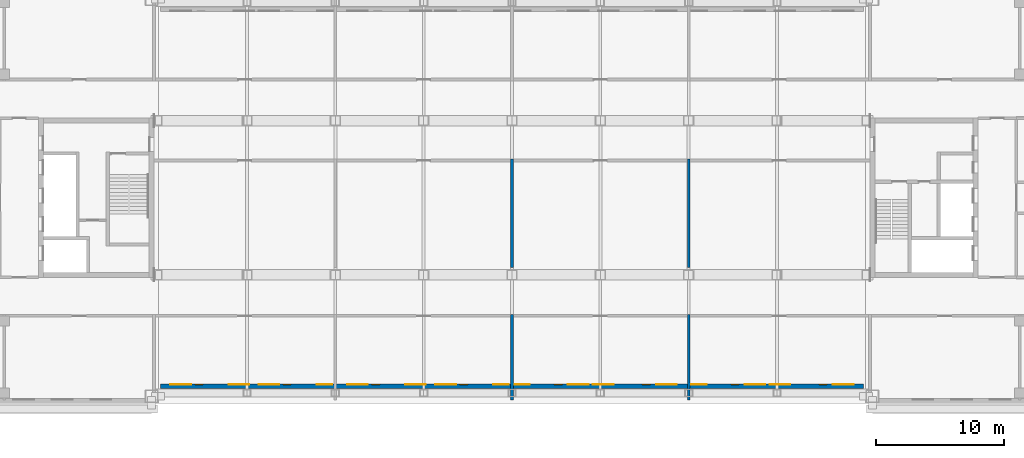
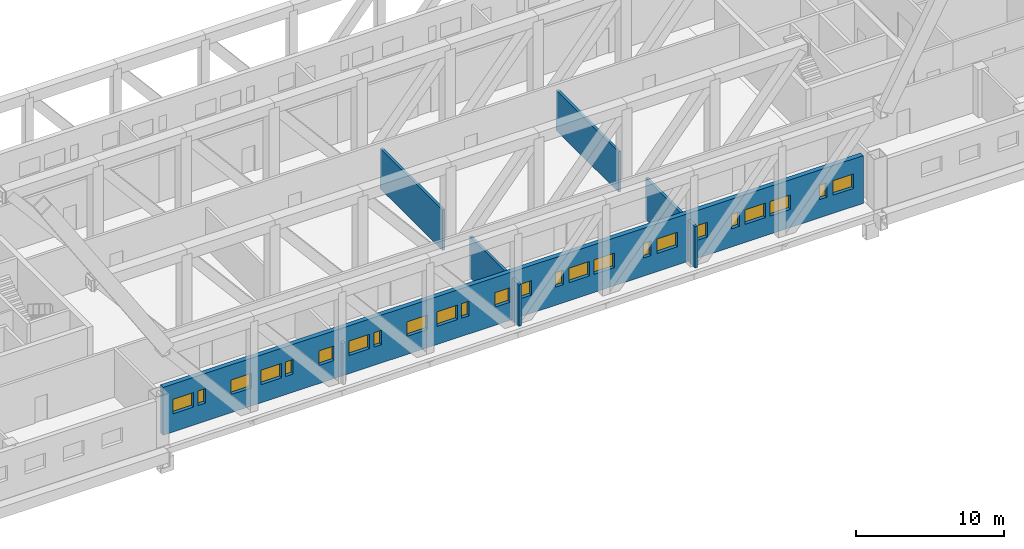
# One storey, part 8 of 17: 24 windows, 5 walls, 24 openings.
"""IFC4 building model written with IfcOpenShell, lengths in metres."""

from ifc_helpers import new_model, si_unit, direction, frame, frame_2d, origin, place, context, subcontext, project, spatial, rectangle, extrude, material, layer, layer_set, type_object, element, fill, save


model = new_model("IFC4")

# Units and contexts
model_context = context("Model", 3, precision=1e-05, world=origin(), true_north=direction((0.0, 1.0)))
body_context = subcontext(model_context, "Body", "Model", "MODEL_VIEW")
ifc_project = project(units=[si_unit("LENGTHUNIT", "METRE"), si_unit("AREAUNIT", "SQUARE_METRE"), si_unit("VOLUMEUNIT", "CUBIC_METRE"), si_unit("PLANEANGLEUNIT", "RADIAN"), si_unit("MASSUNIT", "GRAM", prefix="KILO")], contexts=[model_context])

# Site, building, storey
site_placement = place(None, origin())
site = spatial("IfcSite", under=ifc_project, at=site_placement, CompositionType="ELEMENT")
building_placement = place(site_placement, origin())
building = spatial("IfcBuilding", under=site, at=building_placement, Name="Tuart Gate Housing", CompositionType="ELEMENT")
storey_placement = place(building_placement, frame((0.0, 0.0, 194.39990234375)))
storey = spatial("IfcBuildingStorey", under=building, at=storey_placement, Name="L55", CompositionType="ELEMENT", Elevation=194.39990234375)

# Wall, openings, windows
ifc_material_1 = material(Name="Brick", Category="masonry")
ifc_layer_1 = layer(ifc_material_1, 0.360107421875)
ifc_layer_set_1 = layer_set([ifc_layer_1], Name="Brick pier and spandrel wall 360")
wall_type_1 = type_object("IfcWallType", Name="Brick pier and spandrel wall 360", PredefinedType="STANDARD", material=ifc_layer_set_1)
wall_1_placement = place(storey_placement, frame((76.14990234375, 55.340087890625, 0.0), z_axis=(0.0, 0.0, 1.0), x_axis=(1.0, 0.0, 0.0)))
wall_1 = element("IfcWall", 1, at=wall_1_placement, inside=storey, type_object=wall_type_1, Name="External wall BLK-S L55", PredefinedType="STANDARD", context=body_context, shape_type="SweptSolid", body=[
    extrude(rectangle(XDim=54.7001953125, YDim=0.360107421875, at=frame_2d((27.35009765625, 0.0))), origin(), (0.0, 0.0, 1.0), 3.9501953125),
])
opening_1_placement = place(wall_1_placement, frame((0.768798828125, 0.0, 1.5)))
opening_1 = element("IfcOpeningElement", 2, at=opening_1_placement, cuts=wall_1, Name="Opening W3", PredefinedType="OPENING", context=body_context, shape_type="SweptSolid", body=[
    extrude(rectangle(XDim=1.60009765625, YDim=1.199951171875, at=frame_2d((0.800048828125, 0.60009765625))), frame((0.0, 0.18994140625, 0.0), z_axis=(0.0, -1.0, 0.0), x_axis=(1.0, 0.0, 0.0)), (0.0, 0.0, 1.0), 0.380126953125),
])
opening_2_placement = place(wall_1_placement, frame((2.699951171875, 0.0, 1.5)))
opening_2 = element("IfcOpeningElement", 3, at=opening_2_placement, cuts=wall_1, Name="Opening W3C", PredefinedType="OPENING", context=body_context, shape_type="SweptSolid", body=[
    extrude(rectangle(XDim=0.60009765625, YDim=1.199951171875, at=frame_2d((0.300048828125, 0.60009765625))), frame((0.0, 0.18994140625, 0.0), z_axis=(0.0, -1.0, 0.0), x_axis=(1.0, 0.0, 0.0)), (0.0, 0.0, 1.0), 0.380126953125),
])
opening_3_placement = place(wall_1_placement, frame((7.643798828125, 0.0, 1.5)))
opening_3 = element("IfcOpeningElement", 4, at=opening_3_placement, cuts=wall_1, Name="Opening W3", PredefinedType="OPENING", context=body_context, shape_type="SweptSolid", body=[
    extrude(rectangle(XDim=1.60009765625, YDim=1.199951171875, at=frame_2d((0.800048828125, 0.60009765625))), frame((0.0, 0.18994140625, 0.0), z_axis=(0.0, -1.0, 0.0), x_axis=(1.0, 0.0, 0.0)), (0.0, 0.0, 1.0), 0.380126953125),
])
opening_4_placement = place(wall_1_placement, frame((5.300048828125, 0.0, 1.5)))
opening_4 = element("IfcOpeningElement", 5, at=opening_4_placement, cuts=wall_1, Name="Opening W3", PredefinedType="OPENING", context=body_context, shape_type="SweptSolid", body=[
    extrude(rectangle(XDim=1.60009765625, YDim=1.199951171875, at=frame_2d((0.800048828125, 0.60009765625))), frame((0.0, 0.18994140625, 0.0), z_axis=(0.0, -1.0, 0.0), x_axis=(1.0, 0.0, 0.0)), (0.0, 0.0, 1.0), 0.380126953125),
])
opening_5_placement = place(wall_1_placement, frame((14.518798828125, 0.0, 1.5)))
opening_5 = element("IfcOpeningElement", 6, at=opening_5_placement, cuts=wall_1, Name="Opening W3", PredefinedType="OPENING", context=body_context, shape_type="SweptSolid", body=[
    extrude(rectangle(XDim=1.60009765625, YDim=1.199951171875, at=frame_2d((0.800048828125, 0.60009765625))), frame((0.0, 0.18994140625, 0.0), z_axis=(0.0, -1.0, 0.0), x_axis=(1.0, 0.0, 0.0)), (0.0, 0.0, 1.0), 0.380126953125),
])
opening_6_placement = place(wall_1_placement, frame((16.449951171875, 0.0, 1.5)))
opening_6 = element("IfcOpeningElement", 7, at=opening_6_placement, cuts=wall_1, Name="Opening W3C", PredefinedType="OPENING", context=body_context, shape_type="SweptSolid", body=[
    extrude(rectangle(XDim=0.60009765625, YDim=1.199951171875, at=frame_2d((0.300048828125, 0.60009765625))), frame((0.0, 0.18994140625, 0.0), z_axis=(0.0, -1.0, 0.0), x_axis=(1.0, 0.0, 0.0)), (0.0, 0.0, 1.0), 0.380126953125),
])
opening_7_placement = place(wall_1_placement, frame((21.393798828125, 0.0, 1.5)))
opening_7 = element("IfcOpeningElement", 8, at=opening_7_placement, cuts=wall_1, Name="Opening W3", PredefinedType="OPENING", context=body_context, shape_type="SweptSolid", body=[
    extrude(rectangle(XDim=1.60009765625, YDim=1.199951171875, at=frame_2d((0.800048828125, 0.60009765625))), frame((0.0, 0.18994140625, 0.0), z_axis=(0.0, -1.0, 0.0), x_axis=(1.0, 0.0, 0.0)), (0.0, 0.0, 1.0), 0.380126953125),
])
opening_8_placement = place(wall_1_placement, frame((19.050048828125, 0.0, 1.5)))
opening_8 = element("IfcOpeningElement", 9, at=opening_8_placement, cuts=wall_1, Name="Opening W3", PredefinedType="OPENING", context=body_context, shape_type="SweptSolid", body=[
    extrude(rectangle(XDim=1.60009765625, YDim=1.199951171875, at=frame_2d((0.800048828125, 0.60009765625))), frame((0.0, 0.18994140625, 0.0), z_axis=(0.0, -1.0, 0.0), x_axis=(1.0, 0.0, 0.0)), (0.0, 0.0, 1.0), 0.380126953125),
])
opening_9_placement = place(wall_1_placement, frame((27.550048828125, 0.0, 1.5)))
opening_9 = element("IfcOpeningElement", 10, at=opening_9_placement, cuts=wall_1, Name="Opening W3A", PredefinedType="OPENING", context=body_context, shape_type="SweptSolid", body=[
    extrude(rectangle(XDim=1.199951171875, YDim=1.199951171875, at=frame_2d((0.60009765625, 0.60009765625))), frame((0.0, 0.18994140625, 0.0), z_axis=(0.0, -1.0, 0.0), x_axis=(1.0, 0.0, 0.0)), (0.0, 0.0, 1.0), 0.380126953125),
])
opening_10_placement = place(wall_1_placement, frame((31.706298828125, 0.0, 1.5)))
opening_10 = element("IfcOpeningElement", 11, at=opening_10_placement, cuts=wall_1, Name="Opening W3", PredefinedType="OPENING", context=body_context, shape_type="SweptSolid", body=[
    extrude(rectangle(XDim=1.60009765625, YDim=1.199951171875, at=frame_2d((0.800048828125, 0.60009765625))), frame((0.0, 0.18994140625, 0.0), z_axis=(0.0, -1.0, 0.0), x_axis=(1.0, 0.0, 0.0)), (0.0, 0.0, 1.0), 0.380126953125),
])
opening_11_placement = place(wall_1_placement, frame((30.64990234375, 0.0, 1.5)))
opening_11 = element("IfcOpeningElement", 12, at=opening_11_placement, cuts=wall_1, Name="Opening W3C", PredefinedType="OPENING", context=body_context, shape_type="SweptSolid", body=[
    extrude(rectangle(XDim=0.60009765625, YDim=1.199951171875, at=frame_2d((0.300048828125, 0.60009765625))), frame((0.0, 0.18994140625, 0.0), z_axis=(0.0, -1.0, 0.0), x_axis=(1.0, 0.0, 0.0)), (0.0, 0.0, 1.0), 0.380126953125),
])
opening_12_placement = place(wall_1_placement, frame((38.581298828125, 0.0, 1.5)))
opening_12 = element("IfcOpeningElement", 13, at=opening_12_placement, cuts=wall_1, Name="Opening W3", PredefinedType="OPENING", context=body_context, shape_type="SweptSolid", body=[
    extrude(rectangle(XDim=1.60009765625, YDim=1.199951171875, at=frame_2d((0.800048828125, 0.60009765625))), frame((0.0, 0.18994140625, 0.0), z_axis=(0.0, -1.0, 0.0), x_axis=(1.0, 0.0, 0.0)), (0.0, 0.0, 1.0), 0.380126953125),
])
opening_13_placement = place(wall_1_placement, frame((41.300048828125, 0.0, 1.5)))
opening_13 = element("IfcOpeningElement", 14, at=opening_13_placement, cuts=wall_1, Name="Opening W3A", PredefinedType="OPENING", context=body_context, shape_type="SweptSolid", body=[
    extrude(rectangle(XDim=1.199951171875, YDim=1.199951171875, at=frame_2d((0.60009765625, 0.60009765625))), frame((0.0, 0.18994140625, 0.0), z_axis=(0.0, -1.0, 0.0), x_axis=(1.0, 0.0, 0.0)), (0.0, 0.0, 1.0), 0.380126953125),
])
opening_14_placement = place(wall_1_placement, frame((45.456298828125, 0.0, 1.5)))
opening_14 = element("IfcOpeningElement", 15, at=opening_14_placement, cuts=wall_1, Name="Opening W3", PredefinedType="OPENING", context=body_context, shape_type="SweptSolid", body=[
    extrude(rectangle(XDim=1.60009765625, YDim=1.199951171875, at=frame_2d((0.800048828125, 0.60009765625))), frame((0.0, 0.18994140625, 0.0), z_axis=(0.0, -1.0, 0.0), x_axis=(1.0, 0.0, 0.0)), (0.0, 0.0, 1.0), 0.380126953125),
])
opening_15_placement = place(wall_1_placement, frame((44.39990234375, 0.0, 1.5)))
opening_15 = element("IfcOpeningElement", 16, at=opening_15_placement, cuts=wall_1, Name="Opening W3C", PredefinedType="OPENING", context=body_context, shape_type="SweptSolid", body=[
    extrude(rectangle(XDim=0.60009765625, YDim=1.199951171875, at=frame_2d((0.300048828125, 0.60009765625))), frame((0.0, 0.18994140625, 0.0), z_axis=(0.0, -1.0, 0.0), x_axis=(1.0, 0.0, 0.0)), (0.0, 0.0, 1.0), 0.380126953125),
])
opening_16_placement = place(wall_1_placement, frame((52.331298828125, 0.0, 1.5)))
opening_16 = element("IfcOpeningElement", 17, at=opening_16_placement, cuts=wall_1, Name="Opening W3", PredefinedType="OPENING", context=body_context, shape_type="SweptSolid", body=[
    extrude(rectangle(XDim=1.60009765625, YDim=1.199951171875, at=frame_2d((0.800048828125, 0.60009765625))), frame((0.0, 0.18994140625, 0.0), z_axis=(0.0, -1.0, 0.0), x_axis=(1.0, 0.0, 0.0)), (0.0, 0.0, 1.0), 0.380126953125),
])
opening_17_placement = place(wall_1_placement, frame((9.550048828125, 0.0, 1.5)))
opening_17 = element("IfcOpeningElement", 18, at=opening_17_placement, cuts=wall_1, Name="Opening W3C", PredefinedType="OPENING", context=body_context, shape_type="SweptSolid", body=[
    extrude(rectangle(XDim=0.60009765625, YDim=1.199951171875, at=frame_2d((0.300048828125, 0.60009765625))), frame((0.0, 0.18994140625, 0.0), z_axis=(0.0, -1.0, 0.0), x_axis=(1.0, 0.0, 0.0)), (0.0, 0.0, 1.0), 0.380126953125),
])
opening_18_placement = place(wall_1_placement, frame((12.14990234375, 0.0, 1.5)))
opening_18 = element("IfcOpeningElement", 19, at=opening_18_placement, cuts=wall_1, Name="Opening W3A", PredefinedType="OPENING", context=body_context, shape_type="SweptSolid", body=[
    extrude(rectangle(XDim=1.199951171875, YDim=1.199951171875, at=frame_2d((0.60009765625, 0.60009765625))), frame((0.0, 0.18994140625, 0.0), z_axis=(0.0, -1.0, 0.0), x_axis=(1.0, 0.0, 0.0)), (0.0, 0.0, 1.0), 0.380126953125),
])
opening_19_placement = place(wall_1_placement, frame((23.300048828125, 0.0, 1.5)))
opening_19 = element("IfcOpeningElement", 20, at=opening_19_placement, cuts=wall_1, Name="Opening W3C", PredefinedType="OPENING", context=body_context, shape_type="SweptSolid", body=[
    extrude(rectangle(XDim=0.60009765625, YDim=1.199951171875, at=frame_2d((0.300048828125, 0.60009765625))), frame((0.0, 0.18994140625, 0.0), z_axis=(0.0, -1.0, 0.0), x_axis=(1.0, 0.0, 0.0)), (0.0, 0.0, 1.0), 0.380126953125),
])
opening_20_placement = place(wall_1_placement, frame((25.89990234375, 0.0, 1.5)))
opening_20 = element("IfcOpeningElement", 21, at=opening_20_placement, cuts=wall_1, Name="Opening W3A", PredefinedType="OPENING", context=body_context, shape_type="SweptSolid", body=[
    extrude(rectangle(XDim=1.199951171875, YDim=1.199951171875, at=frame_2d((0.60009765625, 0.60009765625))), frame((0.0, 0.18994140625, 0.0), z_axis=(0.0, -1.0, 0.0), x_axis=(1.0, 0.0, 0.0)), (0.0, 0.0, 1.0), 0.380126953125),
])
opening_21_placement = place(wall_1_placement, frame((33.64990234375, 0.0, 1.5)))
opening_21 = element("IfcOpeningElement", 22, at=opening_21_placement, cuts=wall_1, Name="Opening W3", PredefinedType="OPENING", context=body_context, shape_type="SweptSolid", body=[
    extrude(rectangle(XDim=1.60009765625, YDim=1.199951171875, at=frame_2d((0.800048828125, 0.60009765625))), frame((0.0, 0.18994140625, 0.0), z_axis=(0.0, -1.0, 0.0), x_axis=(1.0, 0.0, 0.0)), (0.0, 0.0, 1.0), 0.380126953125),
])
opening_22_placement = place(wall_1_placement, frame((37.5, 0.0, 1.5)))
opening_22 = element("IfcOpeningElement", 23, at=opening_22_placement, cuts=wall_1, Name="Opening W3C", PredefinedType="OPENING", context=body_context, shape_type="SweptSolid", body=[
    extrude(rectangle(XDim=0.60009765625, YDim=1.199951171875, at=frame_2d((0.300048828125, 0.60009765625))), frame((0.0, 0.18994140625, 0.0), z_axis=(0.0, -1.0, 0.0), x_axis=(1.0, 0.0, 0.0)), (0.0, 0.0, 1.0), 0.380126953125),
])
opening_23_placement = place(wall_1_placement, frame((47.39990234375, 0.0, 1.5)))
opening_23 = element("IfcOpeningElement", 24, at=opening_23_placement, cuts=wall_1, Name="Opening W3", PredefinedType="OPENING", context=body_context, shape_type="SweptSolid", body=[
    extrude(rectangle(XDim=1.60009765625, YDim=1.199951171875, at=frame_2d((0.800048828125, 0.60009765625))), frame((0.0, 0.18994140625, 0.0), z_axis=(0.0, -1.0, 0.0), x_axis=(1.0, 0.0, 0.0)), (0.0, 0.0, 1.0), 0.380126953125),
])
opening_24_placement = place(wall_1_placement, frame((51.25, 0.0, 1.5)))
opening_24 = element("IfcOpeningElement", 25, at=opening_24_placement, cuts=wall_1, Name="Opening W3C", PredefinedType="OPENING", context=body_context, shape_type="SweptSolid", body=[
    extrude(rectangle(XDim=0.60009765625, YDim=1.199951171875, at=frame_2d((0.300048828125, 0.60009765625))), frame((0.0, 0.18994140625, 0.0), z_axis=(0.0, -1.0, 0.0), x_axis=(1.0, 0.0, 0.0)), (0.0, 0.0, 1.0), 0.380126953125),
])
ifc_material_2 = material(Name="Aluminium louvre blades", Category="aluminium")
window_type_1 = type_object("IfcWindowType", Name="Louvre window 1200 x 1200", PartitioningType="DOUBLE_PANEL_HORIZONTAL", PredefinedType="WINDOW", material=ifc_material_2)
window_1_placement = place(opening_9_placement, origin())
window_1 = element("IfcWindow", 26, at=window_1_placement, inside=storey, type_object=window_type_1, Name="Louvre W3A", OverallHeight=1.199951171875, OverallWidth=1.199951171875, PartitioningType="DOUBLE_PANEL_HORIZONTAL", PredefinedType="WINDOW", context=body_context, shape_type="SweptSolid", body=[
    extrude(rectangle(XDim=1.199951171875, YDim=1.199951171875, at=frame_2d((0.60009765625, 0.60009765625))), frame((0.0, 0.150146484375, 0.0), z_axis=(0.0, -1.0, 0.0), x_axis=(1.0, 0.0, 0.0)), (0.0, 0.0, 1.0), 0.06005859375),
])
fill(opening_9, window_1)
window_2_placement = place(opening_13_placement, origin())
window_2 = element("IfcWindow", 27, at=window_2_placement, inside=storey, type_object=window_type_1, Name="Louvre W3A", OverallHeight=1.199951171875, OverallWidth=1.199951171875, PartitioningType="DOUBLE_PANEL_HORIZONTAL", PredefinedType="WINDOW", context=body_context, shape_type="SweptSolid", body=[
    extrude(rectangle(XDim=1.199951171875, YDim=1.199951171875, at=frame_2d((0.60009765625, 0.60009765625))), frame((0.0, 0.150146484375, 0.0), z_axis=(0.0, -1.0, 0.0), x_axis=(1.0, 0.0, 0.0)), (0.0, 0.0, 1.0), 0.06005859375),
])
fill(opening_13, window_2)
window_3_placement = place(opening_18_placement, origin())
window_3 = element("IfcWindow", 28, at=window_3_placement, inside=storey, type_object=window_type_1, Name="Louvre W3A", OverallHeight=1.199951171875, OverallWidth=1.199951171875, PartitioningType="DOUBLE_PANEL_HORIZONTAL", PredefinedType="WINDOW", context=body_context, shape_type="SweptSolid", body=[
    extrude(rectangle(XDim=1.199951171875, YDim=1.199951171875, at=frame_2d((0.60009765625, 0.60009765625))), frame((0.0, 0.150146484375, 0.0), z_axis=(0.0, -1.0, 0.0), x_axis=(1.0, 0.0, 0.0)), (0.0, 0.0, 1.0), 0.06005859375),
])
fill(opening_18, window_3)
window_4_placement = place(opening_20_placement, origin())
window_4 = element("IfcWindow", 29, at=window_4_placement, inside=storey, type_object=window_type_1, Name="Louvre W3A", OverallHeight=1.199951171875, OverallWidth=1.199951171875, PartitioningType="DOUBLE_PANEL_HORIZONTAL", PredefinedType="WINDOW", context=body_context, shape_type="SweptSolid", body=[
    extrude(rectangle(XDim=1.199951171875, YDim=1.199951171875, at=frame_2d((0.60009765625, 0.60009765625))), frame((0.0, 0.150146484375, 0.0), z_axis=(0.0, -1.0, 0.0), x_axis=(1.0, 0.0, 0.0)), (0.0, 0.0, 1.0), 0.06005859375),
])
fill(opening_20, window_4)
ifc_material_3 = material(Name="Aluminium louvre blades", Category="aluminium")
window_type_2 = type_object("IfcWindowType", Name="Louvre window 1600 x 1200", PartitioningType="DOUBLE_PANEL_HORIZONTAL", PredefinedType="WINDOW", material=ifc_material_3)
window_5_placement = place(opening_1_placement, origin())
window_5 = element("IfcWindow", 30, at=window_5_placement, inside=storey, type_object=window_type_2, Name="Louvre W3", OverallHeight=1.199951171875, OverallWidth=1.60009765625, PartitioningType="DOUBLE_PANEL_HORIZONTAL", PredefinedType="WINDOW", context=body_context, shape_type="SweptSolid", body=[
    extrude(rectangle(XDim=1.60009765625, YDim=1.199951171875, at=frame_2d((0.800048828125, 0.60009765625))), frame((0.0, 0.150146484375, 0.0), z_axis=(0.0, -1.0, 0.0), x_axis=(1.0, 0.0, 0.0)), (0.0, 0.0, 1.0), 0.06005859375),
])
fill(opening_1, window_5)
window_6_placement = place(opening_3_placement, origin())
window_6 = element("IfcWindow", 31, at=window_6_placement, inside=storey, type_object=window_type_2, Name="Louvre W3", OverallHeight=1.199951171875, OverallWidth=1.60009765625, PartitioningType="DOUBLE_PANEL_HORIZONTAL", PredefinedType="WINDOW", context=body_context, shape_type="SweptSolid", body=[
    extrude(rectangle(XDim=1.60009765625, YDim=1.199951171875, at=frame_2d((0.800048828125, 0.60009765625))), frame((0.0, 0.150146484375, 0.0), z_axis=(0.0, -1.0, 0.0), x_axis=(1.0, 0.0, 0.0)), (0.0, 0.0, 1.0), 0.06005859375),
])
fill(opening_3, window_6)
window_7_placement = place(opening_4_placement, origin())
window_7 = element("IfcWindow", 32, at=window_7_placement, inside=storey, type_object=window_type_2, Name="Louvre W3", OverallHeight=1.199951171875, OverallWidth=1.60009765625, PartitioningType="DOUBLE_PANEL_HORIZONTAL", PredefinedType="WINDOW", context=body_context, shape_type="SweptSolid", body=[
    extrude(rectangle(XDim=1.60009765625, YDim=1.199951171875, at=frame_2d((0.800048828125, 0.60009765625))), frame((0.0, 0.150146484375, 0.0), z_axis=(0.0, -1.0, 0.0), x_axis=(1.0, 0.0, 0.0)), (0.0, 0.0, 1.0), 0.06005859375),
])
fill(opening_4, window_7)
window_8_placement = place(opening_5_placement, origin())
window_8 = element("IfcWindow", 33, at=window_8_placement, inside=storey, type_object=window_type_2, Name="Louvre W3", OverallHeight=1.199951171875, OverallWidth=1.60009765625, PartitioningType="DOUBLE_PANEL_HORIZONTAL", PredefinedType="WINDOW", context=body_context, shape_type="SweptSolid", body=[
    extrude(rectangle(XDim=1.60009765625, YDim=1.199951171875, at=frame_2d((0.800048828125, 0.60009765625))), frame((0.0, 0.150146484375, 0.0), z_axis=(0.0, -1.0, 0.0), x_axis=(1.0, 0.0, 0.0)), (0.0, 0.0, 1.0), 0.06005859375),
])
fill(opening_5, window_8)
window_9_placement = place(opening_7_placement, origin())
window_9 = element("IfcWindow", 34, at=window_9_placement, inside=storey, type_object=window_type_2, Name="Louvre W3", OverallHeight=1.199951171875, OverallWidth=1.60009765625, PartitioningType="DOUBLE_PANEL_HORIZONTAL", PredefinedType="WINDOW", context=body_context, shape_type="SweptSolid", body=[
    extrude(rectangle(XDim=1.60009765625, YDim=1.199951171875, at=frame_2d((0.800048828125, 0.60009765625))), frame((0.0, 0.150146484375, 0.0), z_axis=(0.0, -1.0, 0.0), x_axis=(1.0, 0.0, 0.0)), (0.0, 0.0, 1.0), 0.06005859375),
])
fill(opening_7, window_9)
window_10_placement = place(opening_8_placement, origin())
window_10 = element("IfcWindow", 35, at=window_10_placement, inside=storey, type_object=window_type_2, Name="Louvre W3", OverallHeight=1.199951171875, OverallWidth=1.60009765625, PartitioningType="DOUBLE_PANEL_HORIZONTAL", PredefinedType="WINDOW", context=body_context, shape_type="SweptSolid", body=[
    extrude(rectangle(XDim=1.60009765625, YDim=1.199951171875, at=frame_2d((0.800048828125, 0.60009765625))), frame((0.0, 0.150146484375, 0.0), z_axis=(0.0, -1.0, 0.0), x_axis=(1.0, 0.0, 0.0)), (0.0, 0.0, 1.0), 0.06005859375),
])
fill(opening_8, window_10)
window_11_placement = place(opening_10_placement, origin())
window_11 = element("IfcWindow", 36, at=window_11_placement, inside=storey, type_object=window_type_2, Name="Louvre W3", OverallHeight=1.199951171875, OverallWidth=1.60009765625, PartitioningType="DOUBLE_PANEL_HORIZONTAL", PredefinedType="WINDOW", context=body_context, shape_type="SweptSolid", body=[
    extrude(rectangle(XDim=1.60009765625, YDim=1.199951171875, at=frame_2d((0.800048828125, 0.60009765625))), frame((0.0, 0.150146484375, 0.0), z_axis=(0.0, -1.0, 0.0), x_axis=(1.0, 0.0, 0.0)), (0.0, 0.0, 1.0), 0.06005859375),
])
fill(opening_10, window_11)
window_12_placement = place(opening_12_placement, origin())
window_12 = element("IfcWindow", 37, at=window_12_placement, inside=storey, type_object=window_type_2, Name="Louvre W3", OverallHeight=1.199951171875, OverallWidth=1.60009765625, PartitioningType="DOUBLE_PANEL_HORIZONTAL", PredefinedType="WINDOW", context=body_context, shape_type="SweptSolid", body=[
    extrude(rectangle(XDim=1.60009765625, YDim=1.199951171875, at=frame_2d((0.800048828125, 0.60009765625))), frame((0.0, 0.150146484375, 0.0), z_axis=(0.0, -1.0, 0.0), x_axis=(1.0, 0.0, 0.0)), (0.0, 0.0, 1.0), 0.06005859375),
])
fill(opening_12, window_12)
window_13_placement = place(opening_14_placement, origin())
window_13 = element("IfcWindow", 38, at=window_13_placement, inside=storey, type_object=window_type_2, Name="Louvre W3", OverallHeight=1.199951171875, OverallWidth=1.60009765625, PartitioningType="DOUBLE_PANEL_HORIZONTAL", PredefinedType="WINDOW", context=body_context, shape_type="SweptSolid", body=[
    extrude(rectangle(XDim=1.60009765625, YDim=1.199951171875, at=frame_2d((0.800048828125, 0.60009765625))), frame((0.0, 0.150146484375, 0.0), z_axis=(0.0, -1.0, 0.0), x_axis=(1.0, 0.0, 0.0)), (0.0, 0.0, 1.0), 0.06005859375),
])
fill(opening_14, window_13)
window_14_placement = place(opening_16_placement, origin())
window_14 = element("IfcWindow", 39, at=window_14_placement, inside=storey, type_object=window_type_2, Name="Louvre W3", OverallHeight=1.199951171875, OverallWidth=1.60009765625, PartitioningType="DOUBLE_PANEL_HORIZONTAL", PredefinedType="WINDOW", context=body_context, shape_type="SweptSolid", body=[
    extrude(rectangle(XDim=1.60009765625, YDim=1.199951171875, at=frame_2d((0.800048828125, 0.60009765625))), frame((0.0, 0.150146484375, 0.0), z_axis=(0.0, -1.0, 0.0), x_axis=(1.0, 0.0, 0.0)), (0.0, 0.0, 1.0), 0.06005859375),
])
fill(opening_16, window_14)
window_15_placement = place(opening_21_placement, origin())
window_15 = element("IfcWindow", 40, at=window_15_placement, inside=storey, type_object=window_type_2, Name="Louvre W3", OverallHeight=1.199951171875, OverallWidth=1.60009765625, PartitioningType="DOUBLE_PANEL_HORIZONTAL", PredefinedType="WINDOW", context=body_context, shape_type="SweptSolid", body=[
    extrude(rectangle(XDim=1.60009765625, YDim=1.199951171875, at=frame_2d((0.800048828125, 0.60009765625))), frame((0.0, 0.150146484375, 0.0), z_axis=(0.0, -1.0, 0.0), x_axis=(1.0, 0.0, 0.0)), (0.0, 0.0, 1.0), 0.06005859375),
])
fill(opening_21, window_15)
window_16_placement = place(opening_23_placement, origin())
window_16 = element("IfcWindow", 41, at=window_16_placement, inside=storey, type_object=window_type_2, Name="Louvre W3", OverallHeight=1.199951171875, OverallWidth=1.60009765625, PartitioningType="DOUBLE_PANEL_HORIZONTAL", PredefinedType="WINDOW", context=body_context, shape_type="SweptSolid", body=[
    extrude(rectangle(XDim=1.60009765625, YDim=1.199951171875, at=frame_2d((0.800048828125, 0.60009765625))), frame((0.0, 0.150146484375, 0.0), z_axis=(0.0, -1.0, 0.0), x_axis=(1.0, 0.0, 0.0)), (0.0, 0.0, 1.0), 0.06005859375),
])
fill(opening_23, window_16)
ifc_material_4 = material(Name="Aluminium louvre blades", Category="aluminium")
window_type_3 = type_object("IfcWindowType", Name="Louvre window 600 x 1200", PartitioningType="DOUBLE_PANEL_HORIZONTAL", PredefinedType="WINDOW", material=ifc_material_4)
window_17_placement = place(opening_2_placement, origin())
window_17 = element("IfcWindow", 42, at=window_17_placement, inside=storey, type_object=window_type_3, Name="Louvre W3C", OverallHeight=1.199951171875, OverallWidth=0.60009765625, PartitioningType="DOUBLE_PANEL_HORIZONTAL", PredefinedType="WINDOW", context=body_context, shape_type="SweptSolid", body=[
    extrude(rectangle(XDim=0.60009765625, YDim=1.199951171875, at=frame_2d((0.300048828125, 0.60009765625))), frame((0.0, 0.150146484375, 0.0), z_axis=(0.0, -1.0, 0.0), x_axis=(1.0, 0.0, 0.0)), (0.0, 0.0, 1.0), 0.06005859375),
])
fill(opening_2, window_17)
window_18_placement = place(opening_6_placement, origin())
window_18 = element("IfcWindow", 43, at=window_18_placement, inside=storey, type_object=window_type_3, Name="Louvre W3C", OverallHeight=1.199951171875, OverallWidth=0.60009765625, PartitioningType="DOUBLE_PANEL_HORIZONTAL", PredefinedType="WINDOW", context=body_context, shape_type="SweptSolid", body=[
    extrude(rectangle(XDim=0.60009765625, YDim=1.199951171875, at=frame_2d((0.300048828125, 0.60009765625))), frame((0.0, 0.150146484375, 0.0), z_axis=(0.0, -1.0, 0.0), x_axis=(1.0, 0.0, 0.0)), (0.0, 0.0, 1.0), 0.06005859375),
])
fill(opening_6, window_18)
window_19_placement = place(opening_11_placement, origin())
window_19 = element("IfcWindow", 44, at=window_19_placement, inside=storey, type_object=window_type_3, Name="Louvre W3C", OverallHeight=1.199951171875, OverallWidth=0.60009765625, PartitioningType="DOUBLE_PANEL_HORIZONTAL", PredefinedType="WINDOW", context=body_context, shape_type="SweptSolid", body=[
    extrude(rectangle(XDim=0.60009765625, YDim=1.199951171875, at=frame_2d((0.300048828125, 0.60009765625))), frame((0.0, 0.150146484375, 0.0), z_axis=(0.0, -1.0, 0.0), x_axis=(1.0, 0.0, 0.0)), (0.0, 0.0, 1.0), 0.06005859375),
])
fill(opening_11, window_19)
window_20_placement = place(opening_15_placement, origin())
window_20 = element("IfcWindow", 45, at=window_20_placement, inside=storey, type_object=window_type_3, Name="Louvre W3C", OverallHeight=1.199951171875, OverallWidth=0.60009765625, PartitioningType="DOUBLE_PANEL_HORIZONTAL", PredefinedType="WINDOW", context=body_context, shape_type="SweptSolid", body=[
    extrude(rectangle(XDim=0.60009765625, YDim=1.199951171875, at=frame_2d((0.300048828125, 0.60009765625))), frame((0.0, 0.150146484375, 0.0), z_axis=(0.0, -1.0, 0.0), x_axis=(1.0, 0.0, 0.0)), (0.0, 0.0, 1.0), 0.06005859375),
])
fill(opening_15, window_20)
window_21_placement = place(opening_17_placement, origin())
window_21 = element("IfcWindow", 46, at=window_21_placement, inside=storey, type_object=window_type_3, Name="Louvre W3C", OverallHeight=1.199951171875, OverallWidth=0.60009765625, PartitioningType="DOUBLE_PANEL_HORIZONTAL", PredefinedType="WINDOW", context=body_context, shape_type="SweptSolid", body=[
    extrude(rectangle(XDim=0.60009765625, YDim=1.199951171875, at=frame_2d((0.300048828125, 0.60009765625))), frame((0.0, 0.150146484375, 0.0), z_axis=(0.0, -1.0, 0.0), x_axis=(1.0, 0.0, 0.0)), (0.0, 0.0, 1.0), 0.06005859375),
])
fill(opening_17, window_21)
window_22_placement = place(opening_19_placement, origin())
window_22 = element("IfcWindow", 47, at=window_22_placement, inside=storey, type_object=window_type_3, Name="Louvre W3C", OverallHeight=1.199951171875, OverallWidth=0.60009765625, PartitioningType="DOUBLE_PANEL_HORIZONTAL", PredefinedType="WINDOW", context=body_context, shape_type="SweptSolid", body=[
    extrude(rectangle(XDim=0.60009765625, YDim=1.199951171875, at=frame_2d((0.300048828125, 0.60009765625))), frame((0.0, 0.150146484375, 0.0), z_axis=(0.0, -1.0, 0.0), x_axis=(1.0, 0.0, 0.0)), (0.0, 0.0, 1.0), 0.06005859375),
])
fill(opening_19, window_22)
window_23_placement = place(opening_22_placement, origin())
window_23 = element("IfcWindow", 48, at=window_23_placement, inside=storey, type_object=window_type_3, Name="Louvre W3C", OverallHeight=1.199951171875, OverallWidth=0.60009765625, PartitioningType="DOUBLE_PANEL_HORIZONTAL", PredefinedType="WINDOW", context=body_context, shape_type="SweptSolid", body=[
    extrude(rectangle(XDim=0.60009765625, YDim=1.199951171875, at=frame_2d((0.300048828125, 0.60009765625))), frame((0.0, 0.150146484375, 0.0), z_axis=(0.0, -1.0, 0.0), x_axis=(1.0, 0.0, 0.0)), (0.0, 0.0, 1.0), 0.06005859375),
])
fill(opening_22, window_23)
window_24_placement = place(opening_24_placement, origin())
window_24 = element("IfcWindow", 49, at=window_24_placement, inside=storey, type_object=window_type_3, Name="Louvre W3C", OverallHeight=1.199951171875, OverallWidth=0.60009765625, PartitioningType="DOUBLE_PANEL_HORIZONTAL", PredefinedType="WINDOW", context=body_context, shape_type="SweptSolid", body=[
    extrude(rectangle(XDim=0.60009765625, YDim=1.199951171875, at=frame_2d((0.300048828125, 0.60009765625))), frame((0.0, 0.150146484375, 0.0), z_axis=(0.0, -1.0, 0.0), x_axis=(1.0, 0.0, 0.0)), (0.0, 0.0, 1.0), 0.06005859375),
])
fill(opening_24, window_24)

# Walls
ifc_material_5 = material(Name="Concrete masonry 15 MPa", Category="masonry")
ifc_layer_2 = layer(ifc_material_5, 0.199951171875)
ifc_layer_set_2 = layer_set([ifc_layer_2], Name="Enclosure wall masonry 200")
wall_type_2 = type_object("IfcWallType", Name="Enclosure wall masonry 200", PredefinedType="PARTITIONING", material=ifc_layer_set_2)
wall_2_placement = place(storey_placement, frame((103.5, 54.239990234375, 0.0), z_axis=(0.0, 0.0, 1.0), x_axis=(0.0, 1.0, 0.0)))
element("IfcWall", 50, at=wall_2_placement, inside=storey, type_object=wall_type_2, Name="Enclosure wall masonry 200", PredefinedType="PARTITIONING", context=body_context, shape_type="SweptSolid", body=[
    extrude(rectangle(XDim=6.659912109375, YDim=0.199951171875, at=frame_2d((3.330078125, 0.0))), origin(), (0.0, 0.0, 1.0), 3.4169921875),
])
wall_3_placement = place(storey_placement, frame((103.5, 64.580078125, 0.0), z_axis=(0.0, 0.0, 1.0), x_axis=(0.0, 1.0, 0.0)))
element("IfcWall", 51, at=wall_3_placement, inside=storey, type_object=wall_type_2, Name="Enclosure wall masonry 200", PredefinedType="PARTITIONING", context=body_context, shape_type="SweptSolid", body=[
    extrude(rectangle(XDim=8.419921875, YDim=0.199951171875, at=frame_2d((4.2099609375, 0.0))), origin(), (0.0, 0.0, 1.0), 3.338134765625),
])
wall_4_placement = place(storey_placement, frame((117.25, 54.239990234375, 0.0), z_axis=(0.0, 0.0, 1.0), x_axis=(0.0, 1.0, 0.0)))
element("IfcWall", 52, at=wall_4_placement, inside=storey, type_object=wall_type_2, Name="Enclosure wall masonry 200", PredefinedType="PARTITIONING", context=body_context, shape_type="SweptSolid", body=[
    extrude(rectangle(XDim=6.659912109375, YDim=0.199951171875, at=frame_2d((3.330078125, 0.0))), origin(), (0.0, 0.0, 1.0), 3.4169921875),
])
wall_5_placement = place(storey_placement, frame((117.25, 64.580078125, 0.0), z_axis=(0.0, 0.0, 1.0), x_axis=(0.0, 1.0, 0.0)))
element("IfcWall", 53, at=wall_5_placement, inside=storey, type_object=wall_type_2, Name="Enclosure wall masonry 200", PredefinedType="PARTITIONING", context=body_context, shape_type="SweptSolid", body=[
    extrude(rectangle(XDim=8.419921875, YDim=0.199951171875, at=frame_2d((4.2099609375, 0.0))), origin(), (0.0, 0.0, 1.0), 3.338134765625),
])

save(model, "model.ifc")
